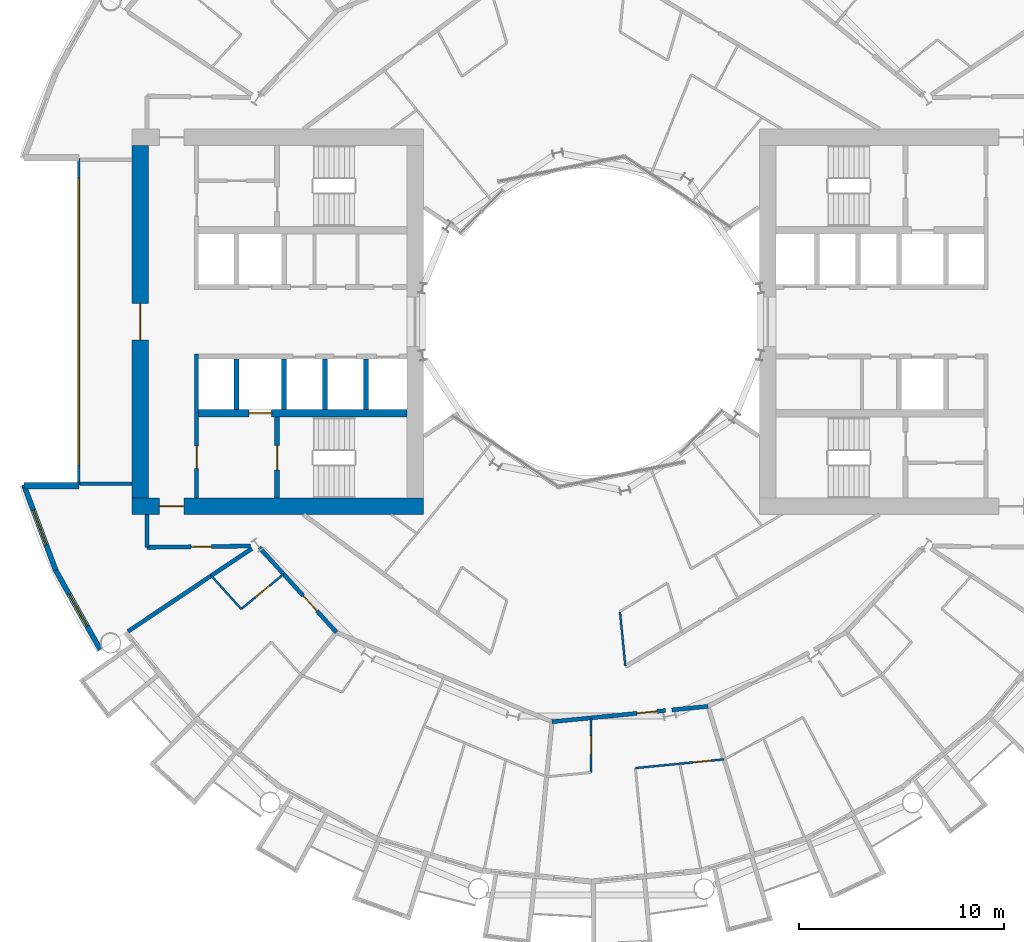
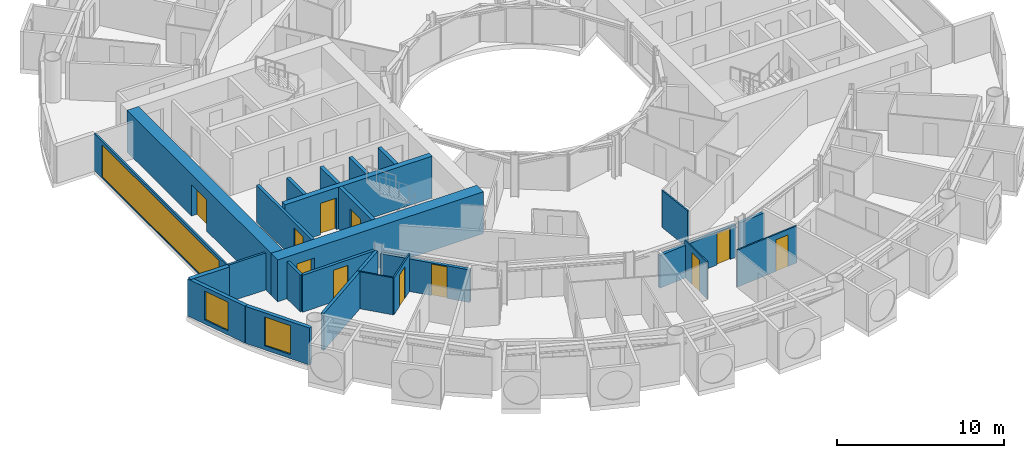
# One storey, part 14 of 26: 26 walls, 11 doors, 3 windows, 14 openings.
"""IFC4 building model written with IfcOpenShell, lengths in metres."""

from ifc_helpers import new_model, si_unit, direction, frame, frame_2d, origin, place, context, subcontext, project, spatial, rectangle, extrude, material, layer, layer_set, type_object, element, fill, save


model = new_model("IFC4")

# Units and contexts
model_context = context("Model", 3, precision=1e-05, world=origin(), true_north=direction((0.0, 1.0)))
body_context = subcontext(model_context, "Body", "Model", "MODEL_VIEW")
ifc_project = project(units=[si_unit("LENGTHUNIT", "METRE"), si_unit("AREAUNIT", "SQUARE_METRE"), si_unit("VOLUMEUNIT", "CUBIC_METRE"), si_unit("PLANEANGLEUNIT", "RADIAN"), si_unit("MASSUNIT", "GRAM", prefix="KILO")], contexts=[model_context])

# Site, building, storey
site_placement = place(None, origin())
site = spatial("IfcSite", under=ifc_project, at=site_placement, CompositionType="ELEMENT")
building_placement = place(site_placement, origin())
building = spatial("IfcBuilding", under=site, at=building_placement, Name="Maasbend Ring Residences", CompositionType="ELEMENT")
storey_placement = place(building_placement, frame((0.0, 0.0, 47.199951171875)))
storey = spatial("IfcBuildingStorey", under=building, at=storey_placement, Name="L13", CompositionType="ELEMENT", Elevation=47.199951171875)

# Wall, opening, door
ifc_material_1 = material(Name="Concrete C70/85", Category="concrete")
ifc_layer_1 = layer(ifc_material_1, 0.25)
ifc_layer_set_1 = layer_set([ifc_layer_1], Name="Concrete C70/85")
wall_type_1 = type_object("IfcWallType", Name="CORE WALL 250 C70/85", PredefinedType="SHEAR", material=ifc_layer_set_1)
wall_1_placement = place(storey_placement, frame((-15.324951171875, -4.64990234375, 0.0), z_axis=(0.0, 0.0, 1.0), x_axis=(0.0, -1.0, 0.0)))
wall_1 = element("IfcWall", 1, at=wall_1_placement, inside=storey, type_object=wall_type_1, Name="L13 core W wall STEN", PredefinedType="SHEAR", context=body_context, shape_type="SweptSolid", body=[
    extrude(rectangle(XDim=3.9501953125, YDim=0.25, at=frame_2d((1.97509765625, 0.0))), origin(), (0.0, 0.0, 1.0), 3.050048828125),
])
opening_1_placement = place(wall_1_placement, frame((1.375, 0.0, 0.0)))
opening_1 = element("IfcOpeningElement", 2, at=opening_1_placement, cuts=wall_1, Name="Opening D-W1310", PredefinedType="OPENING", context=body_context, shape_type="SweptSolid", body=[
    extrude(rectangle(XDim=1.199951171875, YDim=2.300048828125, at=frame_2d((0.60009765625, 1.14990234375))), frame((0.0, 0.135009765625, 0.0), z_axis=(0.0, -1.0, 0.0), x_axis=(1.0, 0.0, 0.0)), (0.0, 0.0, 1.0), 0.27001953125),
])
ifc_material_2 = material(Name="Steel, powder coated", Category="steel")
door_type_1 = type_object("IfcDoorType", Name="STAIR DOOR 1200 X 2300 FD60", OperationType="NOTDEFINED", PredefinedType="DOOR", material=ifc_material_2)
door_1_placement = place(opening_1_placement, origin())
door_1 = element("IfcDoor", 3, at=door_1_placement, inside=storey, type_object=door_type_1, Name="Stair door ST-W L13", OperationType="SINGLE_SWING_LEFT", OverallHeight=2.300048828125, OverallWidth=1.199951171875, PredefinedType="DOOR", context=body_context, shape_type="SweptSolid", body=[
    extrude(rectangle(XDim=1.199951171875, YDim=2.300048828125, at=frame_2d((0.60009765625, 1.14990234375))), frame((0.0, 0.02490234375, 0.0), z_axis=(0.0, -1.0, 0.0), x_axis=(1.0, 0.0, 0.0)), (0.0, 0.0, 1.0), 0.050048828125),
])
fill(opening_1, door_1)

ifc_material_3 = material(Name="Concrete C70/85", Category="concrete")
ifc_layer_2 = layer(ifc_material_3, 0.375)
ifc_layer_set_2 = layer_set([ifc_layer_2], Name="Concrete C70/85")
wall_type_2 = type_object("IfcWallType", Name="CORE WALL 375 C70/85", PredefinedType="SHEAR", material=ifc_layer_set_2)
wall_2_placement = place(storey_placement, frame((-9.0, -4.46240234375, 0.0), z_axis=(0.0, 0.0, 1.0), x_axis=(-1.0, 0.0, 0.0)))
wall_2 = element("IfcWall", 4, at=wall_2_placement, inside=storey, type_object=wall_type_2, Name="L13 core W wall BN", PredefinedType="SHEAR", context=body_context, shape_type="SweptSolid", body=[
    extrude(rectangle(XDim=10.14990234375, YDim=0.375, at=frame_2d((5.074951171875, 0.0))), origin(), (0.0, 0.0, 1.0), 3.050048828125),
])
opening_2_placement = place(wall_2_placement, frame((6.60009765625, 0.0, 0.0)))
opening_2 = element("IfcOpeningElement", 5, at=opening_2_placement, cuts=wall_2, Name="Opening LD-W1304", PredefinedType="OPENING", context=body_context, shape_type="SweptSolid", body=[
    extrude(rectangle(XDim=1.10009765625, YDim=2.300048828125, at=frame_2d((0.550048828125, 1.14990234375))), frame((0.0, 0.197509765625, 0.0), z_axis=(0.0, -1.0, 0.0), x_axis=(1.0, 0.0, 0.0)), (0.0, 0.0, 1.0), 0.39501953125),
])
ifc_material_4 = material(Name="Stainless steel 316", Category="steel")
door_type_2 = type_object("IfcDoorType", Name="LANDING DOOR 1100 X 2300 FD60", OperationType="DOUBLE_DOOR_SLIDING", PredefinedType="DOOR", material=ifc_material_4)
door_2_placement = place(opening_2_placement, origin())
door_2 = element("IfcDoor", 6, at=door_2_placement, inside=storey, type_object=door_type_2, Name="Landing door FF-W L13", OperationType="DOUBLE_DOOR_SLIDING", OverallHeight=2.300048828125, OverallWidth=1.10009765625, PredefinedType="DOOR", context=body_context, shape_type="SweptSolid", body=[
    extrude(rectangle(XDim=1.10009765625, YDim=2.300048828125, at=frame_2d((0.550048828125, 1.14990234375))), frame((0.0, 0.02490234375, 0.0), z_axis=(0.0, -1.0, 0.0), x_axis=(1.0, 0.0, 0.0)), (0.0, 0.0, 1.0), 0.050048828125),
])
fill(opening_2, door_2)

ifc_material_5 = material(Name="Concrete C70/85", Category="concrete")
ifc_layer_3 = layer(ifc_material_5, 0.800048828125)
ifc_layer_set_3 = layer_set([ifc_layer_3], Name="Concrete C70/85")
wall_type_3 = type_object("IfcWallType", Name="CORE WALL 800 C70/85", PredefinedType="SHEAR", material=ifc_layer_set_3)
wall_3_placement = place(storey_placement, frame((-22.39990234375, -9.0, 0.0), z_axis=(0.0, 0.0, 1.0), x_axis=(1.0, 0.0, 0.0)))
wall_3 = element("IfcWall", 7, at=wall_3_placement, inside=storey, type_object=wall_type_3, Name="L13 core W wall PN", PredefinedType="SHEAR", context=body_context, shape_type="SweptSolid", body=[
    extrude(rectangle(XDim=14.199951171875, YDim=0.800048828125, at=frame_2d((7.10009765625, 0.0))), origin(), (0.0, 0.0, 1.0), 3.050048828125),
])
opening_3_placement = place(wall_3_placement, frame((1.324951171875, 0.0, 0.0)))
opening_3 = element("IfcOpeningElement", 8, at=opening_3_placement, cuts=wall_3, Name="Opening D-W1314", PredefinedType="OPENING", context=body_context, shape_type="SweptSolid", body=[
    extrude(rectangle(XDim=1.199951171875, YDim=2.300048828125, at=frame_2d((0.60009765625, 1.14990234375))), frame((0.0, 0.41015625, 0.0), z_axis=(0.0, -1.0, 0.0), x_axis=(1.0, 0.0, 0.0)), (0.0, 0.0, 1.0), 0.820068359375),
])
ifc_material_6 = material(Name="Steel, powder coated", Category="steel")
door_type_3 = type_object("IfcDoorType", Name="CORRIDOR DOOR 1200 X 2300 FD30S", OperationType="NOTDEFINED", PredefinedType="DOOR", material=ifc_material_6)
door_3_placement = place(opening_3_placement, origin())
door_3 = element("IfcDoor", 9, at=door_3_placement, inside=storey, type_object=door_type_3, Name="Corridor door L13", OperationType="SINGLE_SWING_RIGHT", OverallHeight=2.300048828125, OverallWidth=1.199951171875, PredefinedType="DOOR", context=body_context, shape_type="SweptSolid", body=[
    extrude(rectangle(XDim=1.199951171875, YDim=2.300048828125, at=frame_2d((0.60009765625, 1.14990234375))), frame((0.0, 0.02490234375, 0.0), z_axis=(0.0, -1.0, 0.0), x_axis=(1.0, 0.0, 0.0)), (0.0, 0.0, 1.0), 0.050048828125),
])
fill(opening_3, door_3)

wall_4_placement = place(storey_placement, frame((-22.0, -8.60009765625, 0.0), z_axis=(0.0, 0.0, 1.0), x_axis=(0.0, 1.0, 0.0)))
wall_4 = element("IfcWall", 10, at=wall_4_placement, inside=storey, type_object=wall_type_3, Name="L13 core W wall POUT", PredefinedType="SHEAR", context=body_context, shape_type="SweptSolid", body=[
    extrude(rectangle(XDim=17.2001953125, YDim=0.800048828125, at=frame_2d((8.60009765625, 0.0))), origin(), (0.0, 0.0, 1.0), 3.050048828125),
])
opening_4_placement = place(wall_4_placement, frame((7.699951171875, 0.0, 0.0)))
opening_4 = element("IfcOpeningElement", 11, at=opening_4_placement, cuts=wall_4, Name="Opening D-W1316", PredefinedType="OPENING", context=body_context, shape_type="SweptSolid", body=[
    extrude(rectangle(XDim=1.800048828125, YDim=2.300048828125, at=frame_2d((0.89990234375, 1.14990234375))), frame((0.0, 0.41015625, 0.0), z_axis=(0.0, -1.0, 0.0), x_axis=(1.0, 0.0, 0.0)), (0.0, 0.0, 1.0), 0.820068359375),
])
ifc_material_7 = material(Name="Aluminium frame, clear glass", Category="aluminium")
door_type_4 = type_object("IfcDoorType", Name="ENTRANCE DOOR 1800 X 2300 FD60", OperationType="NOTDEFINED", PredefinedType="DOOR", material=ifc_material_7)
door_4_placement = place(opening_4_placement, origin())
door_4 = element("IfcDoor", 12, at=door_4_placement, inside=storey, type_object=door_type_4, Name="Lobby glazed door L13", OperationType="SINGLE_SWING_LEFT", OverallHeight=2.300048828125, OverallWidth=1.800048828125, PredefinedType="DOOR", context=body_context, shape_type="SweptSolid", body=[
    extrude(rectangle(XDim=1.800048828125, YDim=2.300048828125, at=frame_2d((0.89990234375, 1.14990234375))), frame((0.0, 0.02490234375, 0.0), z_axis=(0.0, -1.0, 0.0), x_axis=(1.0, 0.0, 0.0)), (0.0, 0.0, 1.0), 0.050048828125),
])
fill(opening_4, door_4)

ifc_material_8 = material(Name="Concrete C30/37", Category="concrete")
ifc_layer_4 = layer(ifc_material_8, 0.199951171875)
ifc_layer_set_4 = layer_set([ifc_layer_4], Name="Concrete C30/37")
wall_type_4 = type_object("IfcWallType", Name="CORRIDOR WALL 200 CONCRETE", PredefinedType="PARTITIONING", material=ifc_layer_set_4)
wall_5_placement = place(storey_placement, frame((-16.193115234375, -11.0029296875, 0.0), z_axis=(0.0, 0.0, 1.0), x_axis=(0.671514934772, -0.740991020444, 0.0)))
wall_5 = element("IfcWall", 13, at=wall_5_placement, inside=storey, type_object=wall_type_4, Name="U-L13-w013", PredefinedType="PARTITIONING", context=body_context, shape_type="SweptSolid", body=[
    extrude(rectangle(XDim=5.597900390625, YDim=0.199951171875, at=frame_2d((2.798828125, 0.0))), origin(), (0.0, 0.0, 1.0), 2.380126953125),
])
opening_5_placement = place(wall_5_placement, frame((3.179931640625, 0.0, 0.0)))
opening_5 = element("IfcOpeningElement", 14, at=opening_5_placement, cuts=wall_5, Name="Opening D-1330", PredefinedType="OPENING", context=body_context, shape_type="SweptSolid", body=[
    extrude(rectangle(XDim=1.0, YDim=2.300048828125, at=frame_2d((0.5, 1.14990234375))), frame((0.0, 0.10986328125, 0.0), z_axis=(0.0, -1.0, 0.0), x_axis=(1.0, 0.0, 0.0)), (0.0, 0.0, 1.0), 0.219970703125),
])
ifc_material_9 = material(Name="Timber, fire-rated, painted", Category="wood")
door_type_5 = type_object("IfcDoorType", Name="FLAT ENTRANCE DOOR 1000 X 2300 FIRE-RATED", OperationType="NOTDEFINED", PredefinedType="DOOR", material=ifc_material_9)
door_5_placement = place(opening_5_placement, origin())
door_5 = element("IfcDoor", 15, at=door_5_placement, inside=storey, type_object=door_type_5, Name="D-1330", OperationType="SINGLE_SWING_RIGHT", OverallHeight=2.300048828125, OverallWidth=1.0, PredefinedType="DOOR", context=body_context, shape_type="SweptSolid", body=[
    extrude(rectangle(XDim=1.0, YDim=2.300048828125, at=frame_2d((0.5, 1.14990234375))), frame((0.0, 0.02490234375, 0.0), z_axis=(0.0, -1.0, 0.0), x_axis=(1.0, 0.0, 0.0)), (0.0, 0.0, 1.0), 0.050048828125),
])
fill(opening_5, door_5)

wall_6_placement = place(storey_placement, frame((-1.927001953125, -19.506103515625, 0.0), z_axis=(0.0, 0.0, 1.0), x_axis=(0.995181086618, 0.098054091383, 0.0)))
wall_6 = element("IfcWall", 16, at=wall_6_placement, inside=storey, type_object=wall_type_4, Name="U-L13-w015", PredefinedType="PARTITIONING", context=body_context, shape_type="SweptSolid", body=[
    extrude(rectangle(XDim=5.56982421875, YDim=0.199951171875, at=frame_2d((2.784912109375, 0.0))), origin(), (0.0, 0.0, 1.0), 2.380126953125),
])
opening_6_placement = place(wall_6_placement, frame((4.16796875, 0.0, 0.0)))
opening_6 = element("IfcOpeningElement", 17, at=opening_6_placement, cuts=wall_6, Name="Opening D-1339", PredefinedType="OPENING", context=body_context, shape_type="SweptSolid", body=[
    extrude(rectangle(XDim=1.0, YDim=2.300048828125, at=frame_2d((0.5, 1.14990234375))), frame((0.0, 0.10986328125, 0.0), z_axis=(0.0, -1.0, 0.0), x_axis=(1.0, 0.0, 0.0)), (0.0, 0.0, 1.0), 0.219970703125),
])
door_6_placement = place(opening_6_placement, origin())
door_6 = element("IfcDoor", 18, at=door_6_placement, inside=storey, type_object=door_type_5, Name="D-1339", OperationType="SINGLE_SWING_RIGHT", OverallHeight=2.300048828125, OverallWidth=1.0, PredefinedType="DOOR", context=body_context, shape_type="SweptSolid", body=[
    extrude(rectangle(XDim=1.0, YDim=2.300048828125, at=frame_2d((0.5, 1.14990234375))), frame((0.0, 0.02490234375, 0.0), z_axis=(0.0, -1.0, 0.0), x_axis=(1.0, 0.0, 0.0)), (0.0, 0.0, 1.0), 0.050048828125),
])
fill(opening_6, door_6)

# Wall
wall_7_placement = place(storey_placement, frame((3.9208984375, -18.929931640625, 0.0), z_axis=(0.0, 0.0, 1.0), x_axis=(0.995207057161, 0.097790149696, 0.0)))
element("IfcWall", 19, at=wall_7_placement, inside=storey, type_object=wall_type_4, Name="U-L13-w016", PredefinedType="PARTITIONING", context=body_context, shape_type="SweptSolid", body=[
    extrude(rectangle(XDim=1.777587890625, YDim=0.199951171875, at=frame_2d((0.888671875, 0.0))), origin(), (0.0, 0.0, 1.0), 2.380126953125),
])

# Wall, opening, door
wall_8_placement = place(storey_placement, frame((-21.675048828125, -11.0, 0.0), z_axis=(0.0, 0.0, 1.0), x_axis=(0.99992425795, 0.012307654658, 0.0)))
wall_8 = element("IfcWall", 20, at=wall_8_placement, inside=storey, type_object=wall_type_4, Name="U-L13-w026", PredefinedType="PARTITIONING", context=body_context, shape_type="SweptSolid", body=[
    extrude(rectangle(XDim=5.03857421875, YDim=0.199951171875, at=frame_2d((2.519287109375, 0.0))), origin(), (0.0, 0.0, 1.0), 2.699951171875),
])
opening_7_placement = place(wall_8_placement, frame((2.155029296875, 0.0, 0.0)))
opening_7 = element("IfcOpeningElement", 21, at=opening_7_placement, cuts=wall_8, Name="Opening D-1359", PredefinedType="OPENING", context=body_context, shape_type="SweptSolid", body=[
    extrude(rectangle(XDim=1.0, YDim=2.300048828125, at=frame_2d((0.5, 1.14990234375))), frame((0.0, 0.10986328125, 0.0), z_axis=(0.0, -1.0, 0.0), x_axis=(1.0, 0.0, 0.0)), (0.0, 0.0, 1.0), 0.219970703125),
])
ifc_material_10 = material(Name="Timber, painted", Category="wood")
door_type_6 = type_object("IfcDoorType", Name="ROOM DOOR 1000 X 2300", OperationType="NOTDEFINED", PredefinedType="DOOR", material=ifc_material_10)
door_7_placement = place(opening_7_placement, origin())
door_7 = element("IfcDoor", 22, at=door_7_placement, inside=storey, type_object=door_type_6, Name="D-1359", OperationType="SINGLE_SWING_RIGHT", OverallHeight=2.300048828125, OverallWidth=1.0, PredefinedType="DOOR", context=body_context, shape_type="SweptSolid", body=[
    extrude(rectangle(XDim=1.0, YDim=2.300048828125, at=frame_2d((0.5, 1.14990234375))), frame((0.0, 0.02490234375, 0.0), z_axis=(0.0, -1.0, 0.0), x_axis=(1.0, 0.0, 0.0)), (0.0, 0.0, 1.0), 0.050048828125),
])
fill(opening_7, door_7)

# Wall
wall_9_placement = place(storey_placement, frame((-21.675048828125, -11.0, 0.0), z_axis=(0.0, 0.0, 1.0), x_axis=(0.0, 1.0, 0.0)))
element("IfcWall", 23, at=wall_9_placement, inside=storey, type_object=wall_type_4, Name="U-L13-w102", PredefinedType="PARTITIONING", context=body_context, shape_type="SweptSolid", body=[
    extrude(rectangle(XDim=1.60009765625, YDim=0.199951171875, at=frame_2d((0.800048828125, 0.0))), origin(), (0.0, 0.0, 1.0), 2.699951171875),
])

# Wall, opening, window
ifc_material_11 = material(Name="Aluminium clad insulated panel", Category="aluminium")
ifc_layer_5 = layer(ifc_material_11, 0.25)
ifc_layer_set_5 = layer_set([ifc_layer_5], Name="EW-HORN")
wall_type_5 = type_object("IfcWallType", Name="EW-HORN", PredefinedType="SOLIDWALL", material=ifc_layer_set_5)
wall_10_placement = place(storey_placement, frame((-27.681884765625, -7.945068359375, 0.0), z_axis=(0.0, 0.0, 1.0), x_axis=(0.349247811493, -0.937030397675, 0.0)))
wall_10 = element("IfcWall", 24, at=wall_10_placement, inside=storey, type_object=wall_type_5, Name="Horn wall 3.1", PredefinedType="SOLIDWALL", context=body_context, shape_type="SweptSolid", body=[
    extrude(rectangle(XDim=4.4521484375, YDim=0.25, at=frame_2d((2.22607421875, 0.0))), origin(), (0.0, 0.0, 1.0), 2.699951171875),
])
opening_8_placement = place(wall_10_placement, frame((1.32666015625, 0.0, 0.300048828125)))
opening_8 = element("IfcOpeningElement", 25, at=opening_8_placement, cuts=wall_10, Name="Opening W-BX", PredefinedType="OPENING", context=body_context, shape_type="SweptSolid", body=[
    extrude(rectangle(XDim=1.800048828125, YDim=2.10009765625, at=frame_2d((0.89990234375, 1.050048828125))), frame((0.0, 0.135009765625, 0.0), z_axis=(0.0, -1.0, 0.0), x_axis=(1.0, 0.0, 0.0)), (0.0, 0.0, 1.0), 0.27001953125),
])
ifc_material_12 = material(Name="Aluminium and clear glass", Category="aluminium")
window_type_1 = type_object("IfcWindowType", Name="W-BX", PartitioningType="DOUBLE_PANEL_VERTICAL", PredefinedType="WINDOW", material=ifc_material_12)
window_1_placement = place(opening_8_placement, origin())
window_1 = element("IfcWindow", 26, at=window_1_placement, inside=storey, type_object=window_type_1, Name="Horn window 3.1", OverallHeight=2.10009765625, OverallWidth=1.800048828125, PartitioningType="SINGLE_PANEL", PredefinedType="WINDOW", context=body_context, shape_type="SweptSolid", body=[
    extrude(rectangle(XDim=1.800048828125, YDim=2.10009765625, at=frame_2d((0.89990234375, 1.050048828125))), frame((0.0, 0.030029296875, 0.0), z_axis=(0.0, -1.0, 0.0), x_axis=(1.0, 0.0, 0.0)), (0.0, 0.0, 1.0), 0.06005859375),
])
fill(opening_8, window_1)

wall_11_placement = place(storey_placement, frame((-26.126953125, -12.116943359375, 0.0), z_axis=(0.0, 0.0, 1.0), x_axis=(0.489696356642, -0.871893042919, 0.0)))
wall_11 = element("IfcWall", 27, at=wall_11_placement, inside=storey, type_object=wall_type_5, Name="Horn wall 3.2", PredefinedType="SOLIDWALL", context=body_context, shape_type="SweptSolid", body=[
    extrude(rectangle(XDim=4.45361328125, YDim=0.25, at=frame_2d((2.226806640625, 0.0))), origin(), (0.0, 0.0, 1.0), 2.699951171875),
])
opening_9_placement = place(wall_11_placement, frame((1.32666015625, 0.0, 0.300048828125)))
opening_9 = element("IfcOpeningElement", 28, at=opening_9_placement, cuts=wall_11, Name="Opening W-BX", PredefinedType="OPENING", context=body_context, shape_type="SweptSolid", body=[
    extrude(rectangle(XDim=1.800048828125, YDim=2.10009765625, at=frame_2d((0.89990234375, 1.050048828125))), frame((0.0, 0.135009765625, 0.0), z_axis=(0.0, -1.0, 0.0), x_axis=(1.0, 0.0, 0.0)), (0.0, 0.0, 1.0), 0.27001953125),
])
window_2_placement = place(opening_9_placement, origin())
window_2 = element("IfcWindow", 29, at=window_2_placement, inside=storey, type_object=window_type_1, Name="Horn window 3.2", OverallHeight=2.10009765625, OverallWidth=1.800048828125, PartitioningType="SINGLE_PANEL", PredefinedType="WINDOW", context=body_context, shape_type="SweptSolid", body=[
    extrude(rectangle(XDim=1.800048828125, YDim=2.10009765625, at=frame_2d((0.89990234375, 1.050048828125))), frame((0.0, 0.030029296875, 0.0), z_axis=(0.0, -1.0, 0.0), x_axis=(1.0, 0.0, 0.0)), (0.0, 0.0, 1.0), 0.06005859375),
])
fill(opening_9, window_2)

# Wall
ifc_material_13 = material(Name="Aluminium clad insulated panel", Category="aluminium")
ifc_layer_6 = layer(ifc_material_13, 0.300048828125)
ifc_layer_set_6 = layer_set([ifc_layer_6], Name="EW-RET")
wall_type_6 = type_object("IfcWallType", Name="EW-RET", PredefinedType="SOLIDWALL", material=ifc_layer_set_6)
wall_12_placement = place(storey_placement, frame((-25.0, -8.0, 0.0), z_axis=(0.0, 0.0, 1.0), x_axis=(-1.0, 0.0, 0.0)))
element("IfcWall", 30, at=wall_12_placement, inside=storey, type_object=wall_type_6, Name="Notch return wall west south", PredefinedType="SOLIDWALL", context=body_context, shape_type="SweptSolid", body=[
    extrude(rectangle(XDim=2.6669921875, YDim=0.300048828125, at=frame_2d((1.33349609375, 0.0))), origin(), (0.0, 0.0, 1.0), 2.699951171875),
])

# Wall, opening, window
ifc_material_14 = material(Name="Aluminium frame and clear glass", Category="aluminium")
ifc_layer_7 = layer(ifc_material_14, 0.1201171875)
ifc_layer_set_7 = layer_set([ifc_layer_7], Name="GLAZED SCREEN WALL 120 EI 60")
wall_type_7 = type_object("IfcWallType", Name="GLAZED SCREEN WALL 120 EI 60", PredefinedType="PARTITIONING", material=ifc_layer_set_7)
wall_13_placement = place(storey_placement, frame((-25.0, 7.949951171875, 0.0), z_axis=(0.0, 0.0, 1.0), x_axis=(0.0, -1.0, 0.0)))
wall_13 = element("IfcWall", 31, at=wall_13_placement, inside=storey, type_object=wall_type_7, Name="L13 core W wall FACE", PredefinedType="PARTITIONING", context=body_context, shape_type="SweptSolid", body=[
    extrude(rectangle(XDim=15.89990234375, YDim=0.1201171875, at=frame_2d((7.949951171875, 0.0))), origin(), (0.0, 0.0, 1.0), 2.699951171875),
])
opening_10_placement = place(wall_13_placement, frame((0.949951171875, 0.0, 0.10009765625)))
opening_10 = element("IfcOpeningElement", 32, at=opening_10_placement, cuts=wall_13, Name="Opening W-W1302", PredefinedType="OPENING", context=body_context, shape_type="SweptSolid", body=[
    extrude(rectangle(XDim=14.0, YDim=2.35009765625, at=frame_2d((7.0, 1.175048828125))), frame((0.0, 0.070068359375, 0.0), z_axis=(0.0, -1.0, 0.0), x_axis=(1.0, 0.0, 0.0)), (0.0, 0.0, 1.0), 0.14013671875),
])
ifc_material_15 = material(Name="Aluminium frame and clear glass", Category="aluminium")
window_type_2 = type_object("IfcWindowType", Name="FIXED WINDOW 14000 X 2350", PartitioningType="SINGLE_PANEL", PredefinedType="WINDOW", material=ifc_material_15)
window_3_placement = place(opening_10_placement, origin())
window_3 = element("IfcWindow", 33, at=window_3_placement, inside=storey, type_object=window_type_2, Name="Lobby window L13", OverallHeight=2.35009765625, OverallWidth=14.0, PartitioningType="SINGLE_PANEL", PredefinedType="WINDOW", context=body_context, shape_type="SweptSolid", body=[
    extrude(rectangle(XDim=14.0, YDim=2.35009765625, at=frame_2d((7.0, 1.175048828125))), frame((0.0, 0.030029296875, 0.0), z_axis=(0.0, -1.0, 0.0), x_axis=(1.0, 0.0, 0.0)), (0.0, 0.0, 1.0), 0.06005859375),
])
fill(opening_10, window_3)

# Wall
ifc_material_16 = material(Name="Gypsum board on steel studs", Category="steel")
ifc_layer_8 = layer(ifc_material_16, 0.10009765625)
ifc_layer_set_8 = layer_set([ifc_layer_8], Name="PARTITION 100 GYPSUM")
wall_type_8 = type_object("IfcWallType", Name="PARTITION 100 GYPSUM", PredefinedType="PARTITIONING", material=ifc_layer_set_8)
wall_14_placement = place(storey_placement, frame((-18.5419921875, -12.388916015625, 0.0), z_axis=(0.0, 0.0, 1.0), x_axis=(0.671396556615, -0.741098282123, 0.0)))
element("IfcWall", 34, at=wall_14_placement, inside=storey, type_object=wall_type_8, Name="U-L13-w001", PredefinedType="PARTITIONING", context=body_context, shape_type="SweptSolid", body=[
    extrude(rectangle(XDim=2.18212890625, YDim=0.10009765625, at=frame_2d((1.091064453125, 0.0))), origin(), (0.0, 0.0, 1.0), 2.699951171875),
])

# Wall, opening, door
wall_15_placement = place(storey_placement, frame((2.14404296875, -21.76611328125, 0.0), z_axis=(0.0, 0.0, 1.0), x_axis=(0.995192120883, 0.097942036599, 0.0)))
wall_15 = element("IfcWall", 35, at=wall_15_placement, inside=storey, type_object=wall_type_8, Name="U-L13-w006", PredefinedType="PARTITIONING", context=body_context, shape_type="SweptSolid", body=[
    extrude(rectangle(XDim=4.349853515625, YDim=0.10009765625, at=frame_2d((2.1748046875, 0.0))), origin(), (0.0, 0.0, 1.0), 2.699951171875),
])
opening_11_placement = place(wall_15_placement, frame((2.81201171875, 0.0, 0.0)))
opening_11 = element("IfcOpeningElement", 36, at=opening_11_placement, cuts=wall_15, Name="Opening D-1342", PredefinedType="OPENING", context=body_context, shape_type="SweptSolid", body=[
    extrude(rectangle(XDim=0.89990234375, YDim=2.300048828125, at=frame_2d((0.449951171875, 1.14990234375))), frame((0.0, 0.06005859375, 0.0), z_axis=(0.0, -1.0, 0.0), x_axis=(1.0, 0.0, 0.0)), (0.0, 0.0, 1.0), 0.1201171875),
])
ifc_material_17 = material(Name="Timber, painted", Category="wood")
door_type_7 = type_object("IfcDoorType", Name="INTERNAL DOOR 900 X 2300", OperationType="NOTDEFINED", PredefinedType="DOOR", material=ifc_material_17)
door_8_placement = place(opening_11_placement, origin())
door_8 = element("IfcDoor", 37, at=door_8_placement, inside=storey, type_object=door_type_7, Name="D-1342", OperationType="SINGLE_SWING_RIGHT", OverallHeight=2.300048828125, OverallWidth=0.89990234375, PredefinedType="DOOR", context=body_context, shape_type="SweptSolid", body=[
    extrude(rectangle(XDim=0.89990234375, YDim=2.300048828125, at=frame_2d((0.449951171875, 1.14990234375))), frame((0.0, 0.02490234375, 0.0), z_axis=(0.0, -1.0, 0.0), x_axis=(1.0, 0.0, 0.0)), (0.0, 0.0, 1.0), 0.050048828125),
])
fill(opening_11, door_8)

wall_16_placement = place(storey_placement, frame((-17.076904296875, -14.006103515625, 0.0), z_axis=(0.0, 0.0, 1.0), x_axis=(0.77319617123, 0.634166918717, 0.0)))
wall_16 = element("IfcWall", 38, at=wall_16_placement, inside=storey, type_object=wall_type_8, Name="U-L13-w038", PredefinedType="PARTITIONING", context=body_context, shape_type="SweptSolid", body=[
    extrude(rectangle(XDim=2.674560546875, YDim=0.10009765625, at=frame_2d((1.33740234375, 0.0))), origin(), (0.0, 0.0, 1.0), 2.699951171875),
])
opening_12_placement = place(wall_16_placement, frame((0.886962890625, 0.0, 0.0)))
opening_12 = element("IfcOpeningElement", 39, at=opening_12_placement, cuts=wall_16, Name="Opening D-1331", PredefinedType="OPENING", context=body_context, shape_type="SweptSolid", body=[
    extrude(rectangle(XDim=0.89990234375, YDim=2.300048828125, at=frame_2d((0.449951171875, 1.14990234375))), frame((0.0, 0.06005859375, 0.0), z_axis=(0.0, -1.0, 0.0), x_axis=(1.0, 0.0, 0.0)), (0.0, 0.0, 1.0), 0.1201171875),
])
door_9_placement = place(opening_12_placement, origin())
door_9 = element("IfcDoor", 40, at=door_9_placement, inside=storey, type_object=door_type_7, Name="D-1331", OperationType="SINGLE_SWING_LEFT", OverallHeight=2.300048828125, OverallWidth=0.89990234375, PredefinedType="DOOR", context=body_context, shape_type="SweptSolid", body=[
    extrude(rectangle(XDim=0.89990234375, YDim=2.300048828125, at=frame_2d((0.449951171875, 1.14990234375))), frame((0.0, 0.02490234375, 0.0), z_axis=(0.0, -1.0, 0.0), x_axis=(1.0, 0.0, 0.0)), (0.0, 0.0, 1.0), 0.050048828125),
])
fill(opening_12, door_9)

wall_17_placement = place(storey_placement, frame((-0.02099609375, -21.97900390625, 0.0), z_axis=(0.0, 0.0, 1.0), x_axis=(0.001101017775, 0.99999939388, 0.0)))
wall_17 = element("IfcWall", 41, at=wall_17_placement, inside=storey, type_object=wall_type_8, Name="U-L13-w054", PredefinedType="PARTITIONING", context=body_context, shape_type="SweptSolid", body=[
    extrude(rectangle(XDim=2.660888671875, YDim=0.10009765625, at=frame_2d((1.33056640625, 0.0))), origin(), (0.0, 0.0, 1.0), 2.699951171875),
])
opening_13_placement = place(wall_17_placement, frame((0.881103515625, 0.0, 0.0)))
opening_13 = element("IfcOpeningElement", 42, at=opening_13_placement, cuts=wall_17, Name="Opening D-1340", PredefinedType="OPENING", context=body_context, shape_type="SweptSolid", body=[
    extrude(rectangle(XDim=0.89990234375, YDim=2.300048828125, at=frame_2d((0.449951171875, 1.14990234375))), frame((0.0, 0.06005859375, 0.0), z_axis=(0.0, -1.0, 0.0), x_axis=(1.0, 0.0, 0.0)), (0.0, 0.0, 1.0), 0.1201171875),
])
door_10_placement = place(opening_13_placement, origin())
door_10 = element("IfcDoor", 43, at=door_10_placement, inside=storey, type_object=door_type_7, Name="D-1340", OperationType="SINGLE_SWING_RIGHT", OverallHeight=2.300048828125, OverallWidth=0.89990234375, PredefinedType="DOOR", context=body_context, shape_type="SweptSolid", body=[
    extrude(rectangle(XDim=0.89990234375, YDim=2.300048828125, at=frame_2d((0.449951171875, 1.14990234375))), frame((0.0, 0.02490234375, 0.0), z_axis=(0.0, -1.0, 0.0), x_axis=(1.0, 0.0, 0.0)), (0.0, 0.0, 1.0), 0.050048828125),
])
fill(opening_13, door_10)

# Walls
wall_18_placement = place(storey_placement, frame((1.654052734375, -16.797119140625, 0.0), z_axis=(0.0, 0.0, 1.0), x_axis=(-0.097901702875, 0.995196089509, 0.0)))
element("IfcWall", 44, at=wall_18_placement, inside=storey, type_object=wall_type_8, Name="U-L13-w109", PredefinedType="PARTITIONING", context=body_context, shape_type="SweptSolid", body=[
    extrude(rectangle(XDim=2.65576171875, YDim=0.10009765625, at=frame_2d((1.327880859375, 0.0))), origin(), (0.0, 0.0, 1.0), 2.699951171875),
])
ifc_material_18 = material(Name="Gypsum board on steel studs", Category="steel")
ifc_layer_9 = layer(ifc_material_18, 0.14990234375)
ifc_layer_set_9 = layer_set([ifc_layer_9], Name="PARTITION 150 EI 60")
wall_type_9 = type_object("IfcWallType", Name="PARTITION 150 EI 60", PredefinedType="PARTITIONING", material=ifc_layer_set_9)
wall_19_placement = place(storey_placement, frame((-22.39990234375, -7.89990234375, 0.0), z_axis=(0.0, 0.0, 1.0), x_axis=(-1.0, 0.0, 0.0)))
element("IfcWall", 45, at=wall_19_placement, inside=storey, type_object=wall_type_9, Name="L13 core W wall CITN", PredefinedType="PARTITIONING", context=body_context, shape_type="SweptSolid", body=[
    extrude(rectangle(XDim=2.5400390625, YDim=0.14990234375, at=frame_2d((1.27001953125, 0.0))), origin(), (0.0, 0.0, 1.0), 2.699951171875),
])
ifc_material_19 = material(Name="Concrete C30/37", Category="concrete")
ifc_layer_10 = layer(ifc_material_19, 0.199951171875)
ifc_layer_set_10 = layer_set([ifc_layer_10], Name="Concrete C30/37")
wall_type_10 = type_object("IfcWallType", Name="PARTY WALL 200 CONCRETE", PredefinedType="PARTITIONING", material=ifc_layer_set_10)
wall_20_placement = place(storey_placement, frame((-18.5439453125, -12.386962890625, 0.0), z_axis=(0.0, 0.0, 1.0), x_axis=(0.832066006555, 0.554676627176, 0.0)))
element("IfcWall", 46, at=wall_20_placement, inside=storey, type_object=wall_type_10, Name="U-L13-w030", PredefinedType="PARTITIONING", context=body_context, shape_type="SweptSolid", body=[
    extrude(rectangle(XDim=2.390380859375, YDim=0.199951171875, at=frame_2d((1.1953125, 0.0))), origin(), (0.0, 0.0, 1.0), 2.699951171875),
])
wall_21_placement = place(storey_placement, frame((-22.594970703125, -15.097900390625, 0.0), z_axis=(0.0, 0.0, 1.0), x_axis=(0.831387096605, 0.55569370664, 0.0)))
element("IfcWall", 47, at=wall_21_placement, inside=storey, type_object=wall_type_10, Name="U-L13-w033", PredefinedType="PARTITIONING", context=body_context, shape_type="SweptSolid", body=[
    extrude(rectangle(XDim=4.875, YDim=0.199951171875, at=frame_2d((2.4375, 0.0))), origin(), (0.0, 0.0, 1.0), 2.699951171875),
])

# Wall, opening, door
ifc_material_20 = material(Name="Concrete C30/37", Category="concrete")
ifc_layer_11 = layer(ifc_material_20, 0.199951171875)
ifc_layer_set_11 = layer_set([ifc_layer_11], Name="Concrete C30/37")
wall_type_11 = type_object("IfcWallType", Name="SHAFT WALL 200 EI 120", PredefinedType="SOLIDWALL", material=ifc_layer_set_11)
wall_22_placement = place(storey_placement, frame((-19.25, -1.574951171875, 0.0), z_axis=(0.0, 0.0, 1.0), x_axis=(0.0, -1.0, 0.0)))
wall_22 = element("IfcWall", 48, at=wall_22_placement, inside=storey, type_object=wall_type_11, Name="L13 core W wall ENDN", PredefinedType="SOLIDWALL", context=body_context, shape_type="SweptSolid", body=[
    extrude(rectangle(XDim=7.025146484375, YDim=0.199951171875, at=frame_2d((3.5126953125, 0.0))), origin(), (0.0, 0.0, 1.0), 2.699951171875),
])
opening_14_placement = place(wall_22_placement, frame((4.47509765625, 0.0, 0.0)))
opening_14 = element("IfcOpeningElement", 49, at=opening_14_placement, cuts=wall_22, Name="Opening D-W1312", PredefinedType="OPENING", context=body_context, shape_type="SweptSolid", body=[
    extrude(rectangle(XDim=1.10009765625, YDim=2.300048828125, at=frame_2d((0.550048828125, 1.14990234375))), frame((0.0, 0.10986328125, 0.0), z_axis=(0.0, -1.0, 0.0), x_axis=(1.0, 0.0, 0.0)), (0.0, 0.0, 1.0), 0.219970703125),
])
ifc_material_21 = material(Name="Steel, powder coated", Category="steel")
door_type_8 = type_object("IfcDoorType", Name="LOBBY DOOR 1100 X 2300 FD60", OperationType="NOTDEFINED", PredefinedType="DOOR", material=ifc_material_21)
door_11_placement = place(opening_14_placement, origin())
door_11 = element("IfcDoor", 50, at=door_11_placement, inside=storey, type_object=door_type_8, Name="Lobby door L13", OperationType="SINGLE_SWING_LEFT", OverallHeight=2.300048828125, OverallWidth=1.10009765625, PredefinedType="DOOR", context=body_context, shape_type="SweptSolid", body=[
    extrude(rectangle(XDim=1.10009765625, YDim=2.300048828125, at=frame_2d((0.550048828125, 1.14990234375))), frame((0.0, 0.02490234375, 0.0), z_axis=(0.0, -1.0, 0.0), x_axis=(1.0, 0.0, 0.0)), (0.0, 0.0, 1.0), 0.050048828125),
])
fill(opening_14, door_11)

# Walls
ifc_material_22 = material(Name="Concrete C30/37", Category="concrete")
ifc_layer_12 = layer(ifc_material_22, 0.25)
ifc_layer_set_12 = layer_set([ifc_layer_12], Name="Concrete C30/37")
wall_type_12 = type_object("IfcWallType", Name="SHAFT WALL 250 EI 120", PredefinedType="SOLIDWALL", material=ifc_layer_set_12)
for number, where, z_axis, x_axis, name in (
    (51, (-15.0, -1.824951171875, 0.0), (0.0, 0.0, 1.0), (0.0, -1.0, 0.0), "L13 core W wall D150N"),
    (52, (-17.300048828125, -1.824951171875, 0.0), (0.0, 0.0, 1.0), (0.0, -1.0, 0.0), "L13 core W wall D173N"),
    (53, (-11.0, -1.824951171875, 0.0), (0.0, 0.0, 1.0), (0.0, -1.0, 0.0), "L13 core W wall D110N"),
    (54, (-13.0, -1.824951171875, 0.0), (0.0, 0.0, 1.0), (0.0, -1.0, 0.0), "L13 core W wall D130N"),
):
    element("IfcWall", number, at=place(storey_placement, frame(where, z_axis=z_axis, x_axis=x_axis)), inside=storey, type_object=wall_type_12, Name=name, PredefinedType="SOLIDWALL", context=body_context, shape_type="SweptSolid", body=[
        extrude(rectangle(XDim=2.449951171875, YDim=0.25, at=frame_2d((1.22509765625, 0.0))), origin(), (0.0, 0.0, 1.0), 2.699951171875),
    ])

save(model, "model.ifc")
